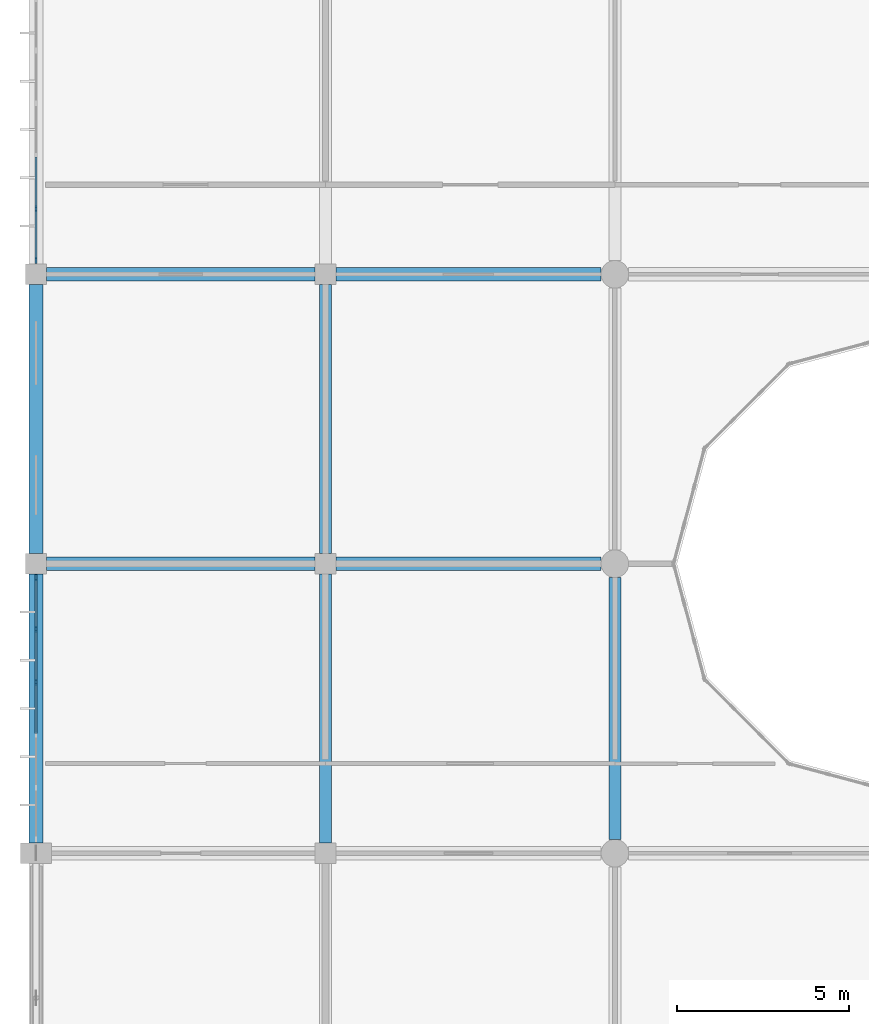
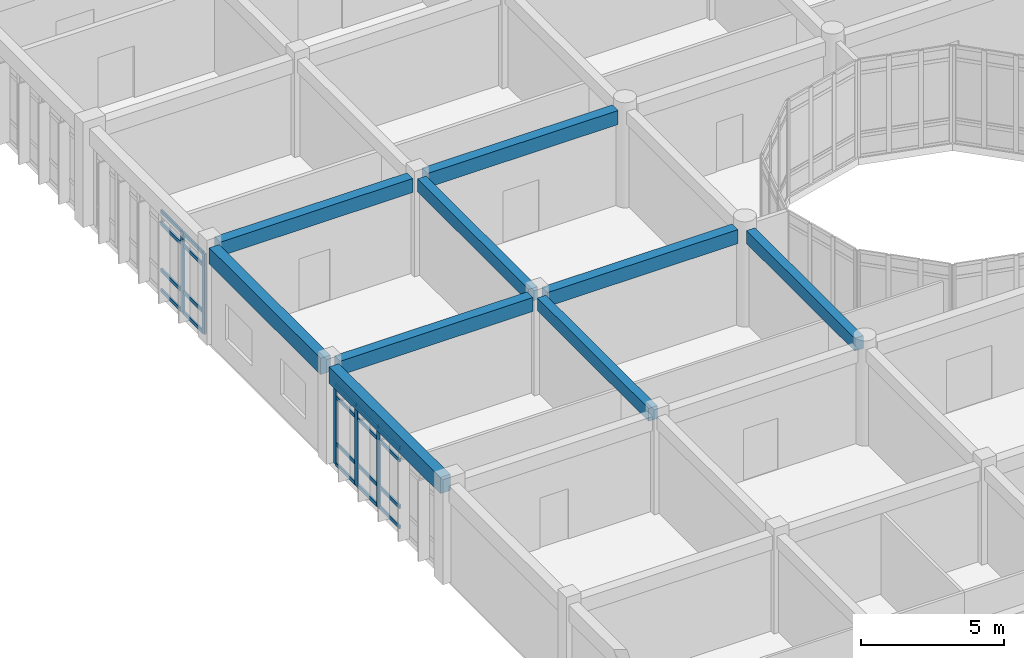
# One storey, part 33 of 144: 25 members, 9 beams, 2 elements without a shape of their own.
"""IFC4 building model written with IfcOpenShell, lengths in metres."""

from ifc_helpers import new_model, si_unit, direction, frame, origin, origin_2d, place, context, subcontext, project, spatial, rectangle, extrude, material, layer, layer_set, material_profile, profile_set, type_object, element, aggregate, save


model = new_model("IFC4")

# Units and contexts
model_context = context("Model", 3, precision=1e-05, world=origin(), true_north=direction((0.0, 1.0)))
body_context = subcontext(model_context, "Body", "Model", "MODEL_VIEW")
ifc_project = project(units=[si_unit("LENGTHUNIT", "METRE"), si_unit("AREAUNIT", "SQUARE_METRE"), si_unit("VOLUMEUNIT", "CUBIC_METRE"), si_unit("PLANEANGLEUNIT", "RADIAN"), si_unit("MASSUNIT", "GRAM", prefix="KILO")], contexts=[model_context])

# Site, building, storey
site_placement = place(None, origin())
site = spatial("IfcSite", under=ifc_project, at=site_placement, CompositionType="ELEMENT")
building_placement = place(site_placement, origin())
building = spatial("IfcBuilding", under=site, at=building_placement, Name="Bramfleet General Hospital", CompositionType="ELEMENT")
storey_placement = place(building_placement, frame((0.0, 0.0, 4.800048828125)))
storey = spatial("IfcBuildingStorey", under=building, at=storey_placement, Name="L01", CompositionType="ELEMENT", Elevation=4.800048828125)

# Beams
ifc_material_1 = material(Name="Concrete C35/45", Category="concrete")
ifc_material_profile_1 = material_profile(ifc_material_1, rectangle(XDim=0.35009765625, YDim=0.550048828125, at=origin_2d()), Name="RC BM 550x350")
ifc_profile_set_1 = profile_set([ifc_material_profile_1], Name="Concrete C35/45")
beam_type_1 = type_object("IfcBeamType", Name="BM-RC550", PredefinedType="BEAM", material=ifc_profile_set_1)
for number, where, z_axis, x_axis, name in (
    (1, (8.39990234375, 75.89990234375, 3.875), (0.0, 1.0, 0.0), (-1.0, 0.0, 0.0), "L01 Grid Beam Y 01-09"),
    (2, (8.39990234375, 84.300048828125, 3.875), (0.0, 1.0, 0.0), (-1.0, 0.0, 0.0), "L01 Grid Beam Y 01-10"),
):
    element("IfcBeam", number, at=place(storey_placement, frame(where, z_axis=z_axis, x_axis=x_axis)), inside=storey, type_object=beam_type_1, Name=name, PredefinedType="BEAM", context=body_context, shape_type="SweptSolid", body=[
        extrude(rectangle(XDim=0.35009765625, YDim=0.550048828125, at=origin_2d()), origin(), (0.0, 0.0, 1.0), 7.800048828125),
    ])
beam_placement = place(storey_placement, frame((16.800048828125, 76.0, 3.875), z_axis=(0.0, 1.0, 0.0), x_axis=(-1.0, 0.0, 0.0)))
element("IfcBeam", 3, at=beam_placement, inside=storey, type_object=beam_type_1, Name="L01 Grid Beam Y 02-09", PredefinedType="BEAM", context=body_context, shape_type="SweptSolid", body=[
    extrude(rectangle(XDim=0.35009765625, YDim=0.550048828125, at=origin_2d()), origin(), (0.0, 0.0, 1.0), 7.60009765625),
])
ifc_material_profile_2 = material_profile(ifc_material_1, rectangle(XDim=0.39990234375, YDim=0.60009765625, at=origin_2d()), Name="RC BM 600x400")
ifc_profile_set_2 = profile_set([ifc_material_profile_2], Name="Concrete C35/45")
beam_type_2 = type_object("IfcBeamType", Name="BM-RC600", PredefinedType="BEAM", material=ifc_profile_set_2)
for number, where, z_axis, x_axis, name in (
    (4, (0.300048828125, 84.0, 3.849853515625), (1.0, 0.0, 0.0), (0.0, 1.0, 0.0), "L01 Grid Beam X 00-10"),
    (5, (0.300048828125, 92.39990234375, 3.849853515625), (1.0, 0.0, 0.0), (0.0, 1.0, 0.0), "L01 Grid Beam X 00-11"),
):
    element("IfcBeam", number, at=place(storey_placement, frame(where, z_axis=z_axis, x_axis=x_axis)), inside=storey, type_object=beam_type_2, Name=name, PredefinedType="BEAM", context=body_context, shape_type="SweptSolid", body=[
        extrude(rectangle(XDim=0.39990234375, YDim=0.60009765625, at=origin_2d()), origin(), (0.0, 0.0, 1.0), 7.800048828125),
    ])
for number, where, z_axis, x_axis, name in (
    (6, (8.699951171875, 84.0, 3.849853515625), (1.0, 0.0, 0.0), (0.0, 1.0, 0.0), "L01 Grid Beam X 01-10"),
    (7, (8.699951171875, 92.39990234375, 3.849853515625), (1.0, 0.0, 0.0), (0.0, 1.0, 0.0), "L01 Grid Beam X 01-11"),
):
    element("IfcBeam", number, at=place(storey_placement, frame(where, z_axis=z_axis, x_axis=x_axis)), inside=storey, type_object=beam_type_2, Name=name, PredefinedType="BEAM", context=body_context, shape_type="SweptSolid", body=[
        extrude(rectangle(XDim=0.39990234375, YDim=0.60009765625, at=origin_2d()), origin(), (0.0, 0.0, 1.0), 7.699951171875),
    ])
ifc_material_profile_3 = material_profile(ifc_material_1, rectangle(XDim=0.39990234375, YDim=0.699951171875, at=origin_2d()), Name="RC SP 700x400")
ifc_profile_set_3 = profile_set([ifc_material_profile_3], Name="Concrete C35/45")
beam_type_3 = type_object("IfcBeamType", Name="BM-SP700", PredefinedType="SPANDREL", material=ifc_profile_set_3)
for number, where, z_axis, x_axis, name in (
    (8, (0.0, 75.89990234375, 3.800048828125), (0.0, 1.0, 0.0), (-1.0, 0.0, 0.0), "L01 Grid Beam Y 00-09"),
    (9, (0.0, 84.300048828125, 3.800048828125), (0.0, 1.0, 0.0), (-1.0, 0.0, 0.0), "L01 Grid Beam Y 00-10"),
):
    element("IfcBeam", number, at=place(storey_placement, frame(where, z_axis=z_axis, x_axis=x_axis)), inside=storey, type_object=beam_type_3, Name=name, PredefinedType="SPANDREL", context=body_context, shape_type="SweptSolid", body=[
        extrude(rectangle(XDim=0.39990234375, YDim=0.699951171875, at=origin_2d()), origin(), (0.0, 0.0, 1.0), 7.800048828125),
    ])

# Curtain wall, members
ifc_material_2 = material(Name="Anodised aluminium and low-E triple glazing", Category="aluminium")
ifc_layer_1 = layer(ifc_material_2, 0.179931640625, Name="CWT-CW-06")
ifc_layer_set_1 = layer_set([ifc_layer_1], Name="Anodised aluminium and low-E triple glazing")
curtain_wall_type_1 = type_object("IfcCurtainWallType", Name="CWT-CW-06", PredefinedType="USERDEFINED", material=ifc_layer_set_1)
curtain_wall_1_placement = place(storey_placement, origin())
curtain_wall_1 = element("IfcCurtainWall", 10, at=curtain_wall_1_placement, inside=storey, type_object=curtain_wall_type_1, Name="L01 Curtain Wall 42", ObjectType="Unitised curtain wall", PredefinedType="USERDEFINED")
ifc_material_3 = material(Name="Structural timber GL28h", Category="wood")
ifc_material_profile_4 = material_profile(ifc_material_3, rectangle(XDim=0.070068359375, YDim=0.18994140625, at=origin_2d()), Name="LARCH 190x70")
ifc_profile_set_4 = profile_set([ifc_material_profile_4], Name="Structural timber GL28h")
member_type_1 = type_object("IfcMemberType", Name="CWM-LARCH450", PredefinedType="MULLION", material=ifc_profile_set_4)
member_1_placement = place(storey_placement, frame((0.0, 80.56494140625, 0.0), z_axis=(0.0, 0.0, 1.0), x_axis=(-1.0, 0.0, 0.0)))
member_1 = element("IfcMember", 11, at=member_1_placement, type_object=member_type_1, Name="CW-06 mullion 4", PredefinedType="MULLION", context=body_context, shape_type="SweptSolid", body=[
    extrude(rectangle(XDim=0.070068359375, YDim=0.18994140625, at=origin_2d()), origin(), (0.0, 0.0, 1.0), 3.43994140625),
])
member_2_placement = place(storey_placement, frame((0.0, 82.094970703125, 0.0), z_axis=(0.0, 0.0, 1.0), x_axis=(-1.0, 0.0, 0.0)))
member_2 = element("IfcMember", 12, at=member_2_placement, type_object=member_type_1, Name="CW-06 mullion 5", PredefinedType="MULLION", context=body_context, shape_type="SweptSolid", body=[
    extrude(rectangle(XDim=0.070068359375, YDim=0.18994140625, at=origin_2d()), origin(), (0.0, 0.0, 1.0), 3.43994140625),
])
member_3_placement = place(storey_placement, frame((0.0, 83.590087890625, 0.0), z_axis=(0.0, 0.0, 1.0), x_axis=(-1.0, 0.0, 0.0)))
member_3 = element("IfcMember", 13, at=member_3_placement, type_object=member_type_1, Name="CW-06 mullion 6", PredefinedType="MULLION", context=body_context, shape_type="SweptSolid", body=[
    extrude(rectangle(XDim=0.070068359375, YDim=0.18994140625, at=origin_2d()), origin(), (0.0, 0.0, 1.0), 3.43994140625),
])

ifc_layer_2 = layer(ifc_material_2, 0.179931640625, Name="CWT-CW-07")
ifc_layer_set_2 = layer_set([ifc_layer_2], Name="Anodised aluminium and low-E triple glazing")
curtain_wall_type_2 = type_object("IfcCurtainWallType", Name="CWT-CW-07", PredefinedType="USERDEFINED", material=ifc_layer_set_2)
curtain_wall_2_placement = place(storey_placement, origin())
curtain_wall_2 = element("IfcCurtainWall", 14, at=curtain_wall_2_placement, inside=storey, type_object=curtain_wall_type_2, Name="L01 Curtain Wall 43", ObjectType="Unitised curtain wall", PredefinedType="USERDEFINED")
member_4_placement = place(storey_placement, frame((0.0, 92.81005859375, 0.0), z_axis=(0.0, 0.0, 1.0), x_axis=(-1.0, 0.0, 0.0)))
member_4 = element("IfcMember", 15, at=member_4_placement, type_object=member_type_1, Name="CW-07 mullion 1", PredefinedType="MULLION", context=body_context, shape_type="SweptSolid", body=[
    extrude(rectangle(XDim=0.070068359375, YDim=0.18994140625, at=origin_2d()), origin(), (0.0, 0.0, 1.0), 3.43994140625),
])
member_5_placement = place(storey_placement, frame((0.0, 94.304931640625, 0.0), z_axis=(0.0, 0.0, 1.0), x_axis=(-1.0, 0.0, 0.0)))
member_5 = element("IfcMember", 16, at=member_5_placement, type_object=member_type_1, Name="CW-07 mullion 2", PredefinedType="MULLION", context=body_context, shape_type="SweptSolid", body=[
    extrude(rectangle(XDim=0.070068359375, YDim=0.18994140625, at=origin_2d()), origin(), (0.0, 0.0, 1.0), 3.43994140625),
])

# Member
ifc_material_profile_5 = material_profile(ifc_material_3, rectangle(XDim=0.06494140625, YDim=0.14990234375, at=origin_2d()), Name="LARCH 150x65")
ifc_profile_set_5 = profile_set([ifc_material_profile_5], Name="Structural timber GL28h")
member_type_2 = type_object("IfcMemberType", Name="CWT-LARCH220", PredefinedType="USERDEFINED", material=ifc_profile_set_5)
member_6_placement = place(storey_placement, frame((0.0, 79.070068359375, 0.032470703125), z_axis=(0.0, 1.0, 0.0), x_axis=(-1.0, 0.0, 0.0)))
member_6 = element("IfcMember", 17, at=member_6_placement, type_object=member_type_2, Name="CW-06 transom 3.1", ObjectType="TRANSOM", PredefinedType="USERDEFINED", context=body_context, shape_type="SweptSolid", body=[
    extrude(rectangle(XDim=0.06494140625, YDim=0.14990234375, at=origin_2d()), origin(), (0.0, 0.0, 1.0), 1.4599609375),
])

member_7_placement = place(storey_placement, frame((0.0, 79.070068359375, 0.89990234375), z_axis=(0.0, 1.0, 0.0), x_axis=(-1.0, 0.0, 0.0)))
member_7 = element("IfcMember", 18, at=member_7_placement, type_object=member_type_2, Name="CW-06 transom 3.2", ObjectType="TRANSOM", PredefinedType="USERDEFINED", context=body_context, shape_type="SweptSolid", body=[
    extrude(rectangle(XDim=0.06494140625, YDim=0.14990234375, at=origin_2d()), origin(), (0.0, 0.0, 1.0), 1.4599609375),
])

member_8_placement = place(storey_placement, frame((0.0, 79.070068359375, 2.889892578125), z_axis=(0.0, 1.0, 0.0), x_axis=(-1.0, 0.0, 0.0)))
member_8 = element("IfcMember", 19, at=member_8_placement, type_object=member_type_2, Name="CW-06 transom 3.3", ObjectType="TRANSOM", PredefinedType="USERDEFINED", context=body_context, shape_type="SweptSolid", body=[
    extrude(rectangle(XDim=0.06494140625, YDim=0.14990234375, at=origin_2d()), origin(), (0.0, 0.0, 1.0), 1.4599609375),
])

member_9_placement = place(storey_placement, frame((0.0, 79.070068359375, 3.407470703125), z_axis=(0.0, 1.0, 0.0), x_axis=(-1.0, 0.0, 0.0)))
member_9 = element("IfcMember", 20, at=member_9_placement, type_object=member_type_2, Name="CW-06 transom 3.4", ObjectType="TRANSOM", PredefinedType="USERDEFINED", context=body_context, shape_type="SweptSolid", body=[
    extrude(rectangle(XDim=0.06494140625, YDim=0.14990234375, at=origin_2d()), origin(), (0.0, 0.0, 1.0), 1.4599609375),
])

member_10_placement = place(storey_placement, frame((0.0, 80.60009765625, 0.032470703125), z_axis=(0.0, 1.0, 0.0), x_axis=(-1.0, 0.0, 0.0)))
member_10 = element("IfcMember", 21, at=member_10_placement, type_object=member_type_2, Name="CW-06 transom 4.1", ObjectType="TRANSOM", PredefinedType="USERDEFINED", context=body_context, shape_type="SweptSolid", body=[
    extrude(rectangle(XDim=0.06494140625, YDim=0.14990234375, at=origin_2d()), origin(), (0.0, 0.0, 1.0), 1.4599609375),
])

member_11_placement = place(storey_placement, frame((0.0, 80.60009765625, 0.89990234375), z_axis=(0.0, 1.0, 0.0), x_axis=(-1.0, 0.0, 0.0)))
member_11 = element("IfcMember", 22, at=member_11_placement, type_object=member_type_2, Name="CW-06 transom 4.2", ObjectType="TRANSOM", PredefinedType="USERDEFINED", context=body_context, shape_type="SweptSolid", body=[
    extrude(rectangle(XDim=0.06494140625, YDim=0.14990234375, at=origin_2d()), origin(), (0.0, 0.0, 1.0), 1.4599609375),
])

member_12_placement = place(storey_placement, frame((0.0, 80.60009765625, 2.889892578125), z_axis=(0.0, 1.0, 0.0), x_axis=(-1.0, 0.0, 0.0)))
member_12 = element("IfcMember", 23, at=member_12_placement, type_object=member_type_2, Name="CW-06 transom 4.3", ObjectType="TRANSOM", PredefinedType="USERDEFINED", context=body_context, shape_type="SweptSolid", body=[
    extrude(rectangle(XDim=0.06494140625, YDim=0.14990234375, at=origin_2d()), origin(), (0.0, 0.0, 1.0), 1.4599609375),
])

member_13_placement = place(storey_placement, frame((0.0, 80.60009765625, 3.407470703125), z_axis=(0.0, 1.0, 0.0), x_axis=(-1.0, 0.0, 0.0)))
member_13 = element("IfcMember", 24, at=member_13_placement, type_object=member_type_2, Name="CW-06 transom 4.4", ObjectType="TRANSOM", PredefinedType="USERDEFINED", context=body_context, shape_type="SweptSolid", body=[
    extrude(rectangle(XDim=0.06494140625, YDim=0.14990234375, at=origin_2d()), origin(), (0.0, 0.0, 1.0), 1.4599609375),
])

member_14_placement = place(storey_placement, frame((0.0, 82.1298828125, 0.032470703125), z_axis=(0.0, 1.0, 0.0), x_axis=(-1.0, 0.0, 0.0)))
member_14 = element("IfcMember", 25, at=member_14_placement, type_object=member_type_2, Name="CW-06 transom 5.1", ObjectType="TRANSOM", PredefinedType="USERDEFINED", context=body_context, shape_type="SweptSolid", body=[
    extrude(rectangle(XDim=0.06494140625, YDim=0.14990234375, at=origin_2d()), origin(), (0.0, 0.0, 1.0), 1.425048828125),
])

member_15_placement = place(storey_placement, frame((0.0, 82.1298828125, 0.89990234375), z_axis=(0.0, 1.0, 0.0), x_axis=(-1.0, 0.0, 0.0)))
member_15 = element("IfcMember", 26, at=member_15_placement, type_object=member_type_2, Name="CW-06 transom 5.2", ObjectType="TRANSOM", PredefinedType="USERDEFINED", context=body_context, shape_type="SweptSolid", body=[
    extrude(rectangle(XDim=0.06494140625, YDim=0.14990234375, at=origin_2d()), origin(), (0.0, 0.0, 1.0), 1.425048828125),
])

member_16_placement = place(storey_placement, frame((0.0, 82.1298828125, 2.889892578125), z_axis=(0.0, 1.0, 0.0), x_axis=(-1.0, 0.0, 0.0)))
member_16 = element("IfcMember", 27, at=member_16_placement, type_object=member_type_2, Name="CW-06 transom 5.3", ObjectType="TRANSOM", PredefinedType="USERDEFINED", context=body_context, shape_type="SweptSolid", body=[
    extrude(rectangle(XDim=0.06494140625, YDim=0.14990234375, at=origin_2d()), origin(), (0.0, 0.0, 1.0), 1.425048828125),
])

member_17_placement = place(storey_placement, frame((0.0, 82.1298828125, 3.407470703125), z_axis=(0.0, 1.0, 0.0), x_axis=(-1.0, 0.0, 0.0)))
member_17 = element("IfcMember", 28, at=member_17_placement, type_object=member_type_2, Name="CW-06 transom 5.4", ObjectType="TRANSOM", PredefinedType="USERDEFINED", context=body_context, shape_type="SweptSolid", body=[
    extrude(rectangle(XDim=0.06494140625, YDim=0.14990234375, at=origin_2d()), origin(), (0.0, 0.0, 1.0), 1.425048828125),
])

aggregate(curtain_wall_1, [member_1, member_2, member_3, member_6, member_7, member_8, member_9, member_10, member_11, member_12, member_13, member_14, member_15, member_16, member_17])

member_18_placement = place(storey_placement, frame((0.0, 92.844970703125, 0.032470703125), z_axis=(0.0, 1.0, 0.0), x_axis=(-1.0, 0.0, 0.0)))
member_18 = element("IfcMember", 29, at=member_18_placement, type_object=member_type_2, Name="CW-07 transom 1.1", ObjectType="TRANSOM", PredefinedType="USERDEFINED", context=body_context, shape_type="SweptSolid", body=[
    extrude(rectangle(XDim=0.06494140625, YDim=0.14990234375, at=origin_2d()), origin(), (0.0, 0.0, 1.0), 1.425048828125),
])

member_19_placement = place(storey_placement, frame((0.0, 92.844970703125, 0.89990234375), z_axis=(0.0, 1.0, 0.0), x_axis=(-1.0, 0.0, 0.0)))
member_19 = element("IfcMember", 30, at=member_19_placement, type_object=member_type_2, Name="CW-07 transom 1.2", ObjectType="TRANSOM", PredefinedType="USERDEFINED", context=body_context, shape_type="SweptSolid", body=[
    extrude(rectangle(XDim=0.06494140625, YDim=0.14990234375, at=origin_2d()), origin(), (0.0, 0.0, 1.0), 1.425048828125),
])

member_20_placement = place(storey_placement, frame((0.0, 92.844970703125, 2.889892578125), z_axis=(0.0, 1.0, 0.0), x_axis=(-1.0, 0.0, 0.0)))
member_20 = element("IfcMember", 31, at=member_20_placement, type_object=member_type_2, Name="CW-07 transom 1.3", ObjectType="TRANSOM", PredefinedType="USERDEFINED", context=body_context, shape_type="SweptSolid", body=[
    extrude(rectangle(XDim=0.06494140625, YDim=0.14990234375, at=origin_2d()), origin(), (0.0, 0.0, 1.0), 1.425048828125),
])

member_21_placement = place(storey_placement, frame((0.0, 92.844970703125, 3.407470703125), z_axis=(0.0, 1.0, 0.0), x_axis=(-1.0, 0.0, 0.0)))
member_21 = element("IfcMember", 32, at=member_21_placement, type_object=member_type_2, Name="CW-07 transom 1.4", ObjectType="TRANSOM", PredefinedType="USERDEFINED", context=body_context, shape_type="SweptSolid", body=[
    extrude(rectangle(XDim=0.06494140625, YDim=0.14990234375, at=origin_2d()), origin(), (0.0, 0.0, 1.0), 1.425048828125),
])

member_22_placement = place(storey_placement, frame((0.0, 94.340087890625, 0.032470703125), z_axis=(0.0, 1.0, 0.0), x_axis=(-1.0, 0.0, 0.0)))
member_22 = element("IfcMember", 33, at=member_22_placement, type_object=member_type_2, Name="CW-07 transom 2.1", ObjectType="TRANSOM", PredefinedType="USERDEFINED", context=body_context, shape_type="SweptSolid", body=[
    extrude(rectangle(XDim=0.06494140625, YDim=0.14990234375, at=origin_2d()), origin(), (0.0, 0.0, 1.0), 1.4599609375),
])

member_23_placement = place(storey_placement, frame((0.0, 94.340087890625, 0.89990234375), z_axis=(0.0, 1.0, 0.0), x_axis=(-1.0, 0.0, 0.0)))
member_23 = element("IfcMember", 34, at=member_23_placement, type_object=member_type_2, Name="CW-07 transom 2.2", ObjectType="TRANSOM", PredefinedType="USERDEFINED", context=body_context, shape_type="SweptSolid", body=[
    extrude(rectangle(XDim=0.06494140625, YDim=0.14990234375, at=origin_2d()), origin(), (0.0, 0.0, 1.0), 1.4599609375),
])

member_24_placement = place(storey_placement, frame((0.0, 94.340087890625, 2.889892578125), z_axis=(0.0, 1.0, 0.0), x_axis=(-1.0, 0.0, 0.0)))
member_24 = element("IfcMember", 35, at=member_24_placement, type_object=member_type_2, Name="CW-07 transom 2.3", ObjectType="TRANSOM", PredefinedType="USERDEFINED", context=body_context, shape_type="SweptSolid", body=[
    extrude(rectangle(XDim=0.06494140625, YDim=0.14990234375, at=origin_2d()), origin(), (0.0, 0.0, 1.0), 1.4599609375),
])

member_25_placement = place(storey_placement, frame((0.0, 94.340087890625, 3.407470703125), z_axis=(0.0, 1.0, 0.0), x_axis=(-1.0, 0.0, 0.0)))
member_25 = element("IfcMember", 36, at=member_25_placement, type_object=member_type_2, Name="CW-07 transom 2.4", ObjectType="TRANSOM", PredefinedType="USERDEFINED", context=body_context, shape_type="SweptSolid", body=[
    extrude(rectangle(XDim=0.06494140625, YDim=0.14990234375, at=origin_2d()), origin(), (0.0, 0.0, 1.0), 1.4599609375),
])

aggregate(curtain_wall_2, [member_4, member_5, member_18, member_19, member_20, member_21, member_22, member_23, member_24, member_25])

save(model, "model.ifc")
